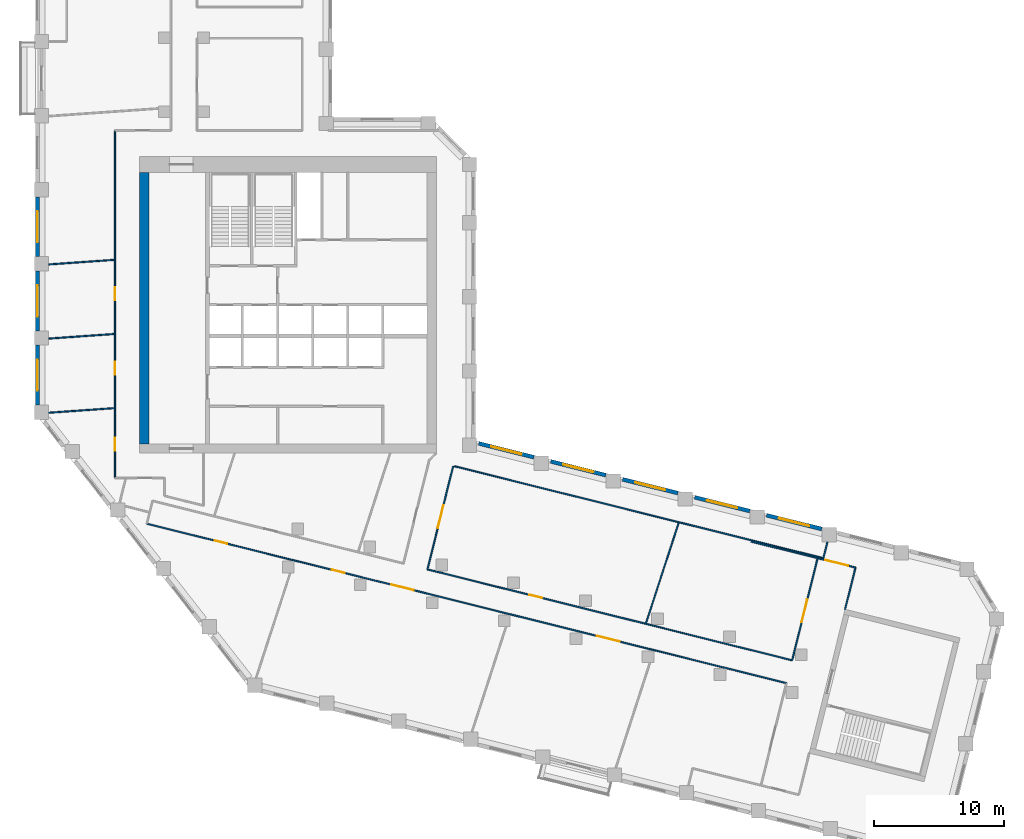
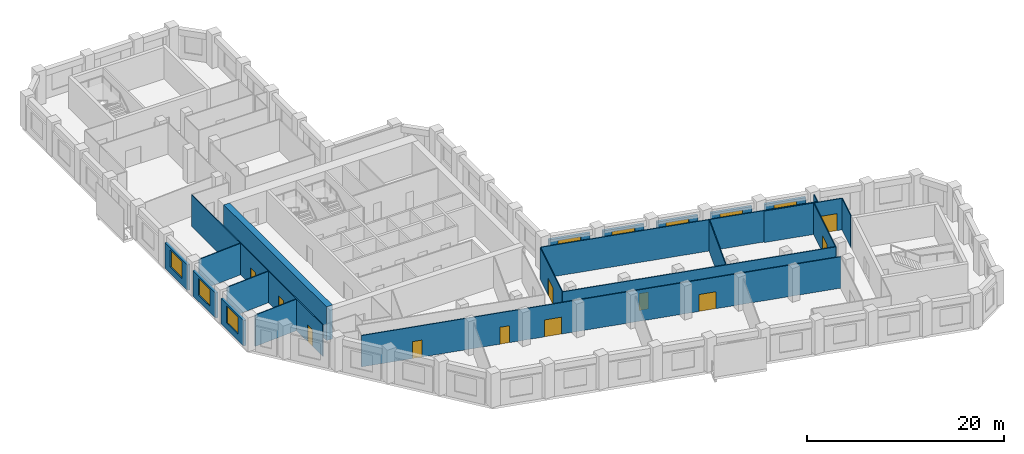
# One storey, part 4 of 10: 23 walls, 11 doors, 8 windows, 19 openings.
"""IFC4 building model written with IfcOpenShell, lengths in metres."""

from ifc_helpers import new_model, si_unit, direction, frame, frame_2d, origin, place, context, subcontext, project, spatial, rectangle, extrude, material, layer, layer_set, type_object, element, fill, save


model = new_model("IFC4")

# Units and contexts
model_context = context("Model", 3, precision=1e-05, world=origin(), true_north=direction((0.0, 1.0)))
body_context = subcontext(model_context, "Body", "Model", "MODEL_VIEW")
ifc_project = project(units=[si_unit("LENGTHUNIT", "METRE"), si_unit("AREAUNIT", "SQUARE_METRE"), si_unit("VOLUMEUNIT", "CUBIC_METRE"), si_unit("PLANEANGLEUNIT", "RADIAN"), si_unit("MASSUNIT", "GRAM", prefix="KILO")], contexts=[model_context])

# Site, building, storey
site_placement = place(None, origin())
site = spatial("IfcSite", under=ifc_project, at=site_placement, CompositionType="ELEMENT")
building_placement = place(site_placement, origin())
building = spatial("IfcBuilding", under=site, at=building_placement, Name="Meshkara Civic Tower", CompositionType="ELEMENT")
storey_placement = place(building_placement, frame((0.0, 0.0, 246.60009765625)))
storey = spatial("IfcBuildingStorey", under=building, at=storey_placement, Name="L56", CompositionType="ELEMENT", Elevation=246.60009765625)

# Wall
ifc_material_1 = material(Name="Concrete C60", Category="concrete")
ifc_layer_1 = layer(ifc_material_1, 0.699951171875)
ifc_layer_set_1 = layer_set([ifc_layer_1], Name="Core ring wall 700 C60")
wall_type_1 = type_object("IfcWallType", Name="Core ring wall 700 C60", PredefinedType="SHEAR", material=ifc_layer_set_1)
wall_1_placement = place(storey_placement, frame((8.35009765625, 14.800048828125, -0.300048828125), z_axis=(0.0, 0.0, 1.0), x_axis=(0.0, 1.0, 0.0)))
element("IfcWall", 1, at=wall_1_placement, inside=storey, type_object=wall_type_1, Name="L56-C003", PredefinedType="SHEAR", context=body_context, shape_type="SweptSolid", body=[
    extrude(rectangle(XDim=20.89990234375, YDim=0.699951171875, at=frame_2d((10.449951171875, 0.0))), origin(), (0.0, 0.0, 1.0), 4.199951171875),
])

# Wall, openings, doors
ifc_material_2 = material(Name="Corridor wall 100")
ifc_layer_2 = layer(ifc_material_2, 0.10009765625)
ifc_layer_set_2 = layer_set([ifc_layer_2], Name="Corridor wall 100")
wall_type_2 = type_object("IfcWallType", Name="Corridor wall 100", PredefinedType="PARTITIONING", material=ifc_layer_set_2)
wall_2_placement = place(storey_placement, frame((6.10009765625, 12.199951171875, 0.0), z_axis=(0.0, 0.0, 1.0), x_axis=(0.0, 1.0, 0.0)))
wall_2 = element("IfcWall", 2, at=wall_2_placement, inside=storey, type_object=wall_type_2, Name="L56-W004", PredefinedType="PARTITIONING", context=body_context, shape_type="SweptSolid", body=[
    extrude(rectangle(XDim=26.699951171875, YDim=0.10009765625, at=frame_2d((13.35009765625, 0.0))), origin(), (0.0, 0.0, 1.0), 3.89990234375),
])
opening_1_placement = place(wall_2_placement, frame((2.080078125, 0.0, 0.0)))
opening_1 = element("IfcOpeningElement", 3, at=opening_1_placement, cuts=wall_2, Name="Opening L56-D013", PredefinedType="OPENING", context=body_context, shape_type="SweptSolid", body=[
    extrude(rectangle(XDim=1.0, YDim=2.10009765625, at=frame_2d((0.5, 1.050048828125))), frame((0.0, 0.06005859375, 0.0), z_axis=(0.0, -1.0, 0.0), x_axis=(1.0, 0.0, 0.0)), (0.0, 0.0, 1.0), 0.1201171875),
])
opening_2_placement = place(wall_2_placement, frame((7.946044921875, 0.0, 0.0)))
opening_2 = element("IfcOpeningElement", 4, at=opening_2_placement, cuts=wall_2, Name="Opening L56-D015", PredefinedType="OPENING", context=body_context, shape_type="SweptSolid", body=[
    extrude(rectangle(XDim=1.0, YDim=2.10009765625, at=frame_2d((0.5, 1.050048828125))), frame((0.0, 0.06005859375, 0.0), z_axis=(0.0, -1.0, 0.0), x_axis=(1.0, 0.0, 0.0)), (0.0, 0.0, 1.0), 0.1201171875),
])
opening_3_placement = place(wall_2_placement, frame((13.64599609375, 0.0, 0.0)))
opening_3 = element("IfcOpeningElement", 5, at=opening_3_placement, cuts=wall_2, Name="Opening L56-D016", PredefinedType="OPENING", context=body_context, shape_type="SweptSolid", body=[
    extrude(rectangle(XDim=1.0, YDim=2.10009765625, at=frame_2d((0.5, 1.050048828125))), frame((0.0, 0.06005859375, 0.0), z_axis=(0.0, -1.0, 0.0), x_axis=(1.0, 0.0, 0.0)), (0.0, 0.0, 1.0), 0.1201171875),
])
ifc_material_3 = material(Name="Door 1000 x 2100")
door_type_1 = type_object("IfcDoorType", Name="Door 1000 x 2100", OperationType="SINGLE_SWING_LEFT", PredefinedType="DOOR", material=ifc_material_3)
door_1_placement = place(opening_1_placement, origin())
door_1 = element("IfcDoor", 6, at=door_1_placement, inside=storey, type_object=door_type_1, Name="L56-D013", OperationType="SINGLE_SWING_LEFT", OverallHeight=2.10009765625, OverallWidth=1.0, PredefinedType="DOOR", context=body_context, shape_type="SweptSolid", body=[
    extrude(rectangle(XDim=1.0, YDim=2.10009765625, at=frame_2d((0.5, 1.050048828125))), frame((0.0, 0.02490234375, 0.0), z_axis=(0.0, -1.0, 0.0), x_axis=(1.0, 0.0, 0.0)), (0.0, 0.0, 1.0), 0.050048828125),
])
fill(opening_1, door_1)
door_2_placement = place(opening_2_placement, origin())
door_2 = element("IfcDoor", 7, at=door_2_placement, inside=storey, type_object=door_type_1, Name="L56-D015", OperationType="SINGLE_SWING_RIGHT", OverallHeight=2.10009765625, OverallWidth=1.0, PredefinedType="DOOR", context=body_context, shape_type="SweptSolid", body=[
    extrude(rectangle(XDim=1.0, YDim=2.10009765625, at=frame_2d((0.5, 1.050048828125))), frame((0.0, 0.02490234375, 0.0), z_axis=(0.0, -1.0, 0.0), x_axis=(1.0, 0.0, 0.0)), (0.0, 0.0, 1.0), 0.050048828125),
])
fill(opening_2, door_2)
door_3_placement = place(opening_3_placement, origin())
door_3 = element("IfcDoor", 8, at=door_3_placement, inside=storey, type_object=door_type_1, Name="L56-D016", OperationType="SINGLE_SWING_RIGHT", OverallHeight=2.10009765625, OverallWidth=1.0, PredefinedType="DOOR", context=body_context, shape_type="SweptSolid", body=[
    extrude(rectangle(XDim=1.0, YDim=2.10009765625, at=frame_2d((0.5, 1.050048828125))), frame((0.0, 0.02490234375, 0.0), z_axis=(0.0, -1.0, 0.0), x_axis=(1.0, 0.0, 0.0)), (0.0, 0.0, 1.0), 0.050048828125),
])
fill(opening_3, door_3)

wall_3_placement = place(storey_placement, frame((8.550048828125, 8.68505859375, 0.0), z_axis=(0.0, 0.0, 1.0), x_axis=(0.970297603286, -0.241914367199, 0.0)))
wall_3 = element("IfcWall", 9, at=wall_3_placement, inside=storey, type_object=wall_type_2, Name="L56-W006", PredefinedType="PARTITIONING", context=body_context, shape_type="SweptSolid", body=[
    extrude(rectangle(XDim=50.675048828125, YDim=0.10009765625, at=frame_2d((25.33740234375, 0.0))), origin(), (0.0, 0.0, 1.0), 3.89990234375),
])
opening_4_placement = place(wall_3_placement, frame((35.656982421875, 0.0, 0.0)))
opening_4 = element("IfcOpeningElement", 10, at=opening_4_placement, cuts=wall_3, Name="Opening L56-D003", PredefinedType="OPENING", context=body_context, shape_type="SweptSolid", body=[
    extrude(rectangle(XDim=1.800048828125, YDim=2.10009765625, at=frame_2d((0.89990234375, 1.050048828125))), frame((0.0, 0.06005859375, 0.0), z_axis=(0.0, -1.0, 0.0), x_axis=(1.0, 0.0, 0.0)), (0.0, 0.0, 1.0), 0.1201171875),
])
opening_5_placement = place(wall_3_placement, frame((14.656982421875, 0.0, 0.0)))
opening_5 = element("IfcOpeningElement", 11, at=opening_5_placement, cuts=wall_3, Name="Opening L56-D004", PredefinedType="OPENING", context=body_context, shape_type="SweptSolid", body=[
    extrude(rectangle(XDim=1.0, YDim=2.10009765625, at=frame_2d((0.5, 1.050048828125))), frame((0.0, 0.06005859375, 0.0), z_axis=(0.0, -1.0, 0.0), x_axis=(1.0, 0.0, 0.0)), (0.0, 0.0, 1.0), 0.1201171875),
])
opening_6_placement = place(wall_3_placement, frame((19.35693359375, 0.0, 0.0)))
opening_6 = element("IfcOpeningElement", 12, at=opening_6_placement, cuts=wall_3, Name="Opening L56-D005", PredefinedType="OPENING", context=body_context, shape_type="SweptSolid", body=[
    extrude(rectangle(XDim=1.800048828125, YDim=2.10009765625, at=frame_2d((0.89990234375, 1.050048828125))), frame((0.0, 0.06005859375, 0.0), z_axis=(0.0, -1.0, 0.0), x_axis=(1.0, 0.0, 0.0)), (0.0, 0.0, 1.0), 0.1201171875),
])
opening_7_placement = place(wall_3_placement, frame((5.3798828125, 0.0, 0.0)))
opening_7 = element("IfcOpeningElement", 13, at=opening_7_placement, cuts=wall_3, Name="Opening L56-D009", PredefinedType="OPENING", context=body_context, shape_type="SweptSolid", body=[
    extrude(rectangle(XDim=1.0, YDim=2.10009765625, at=frame_2d((0.5, 1.050048828125))), frame((0.0, 0.06005859375, 0.0), z_axis=(0.0, -1.0, 0.0), x_axis=(1.0, 0.0, 0.0)), (0.0, 0.0, 1.0), 0.1201171875),
])
door_4_placement = place(opening_5_placement, origin())
door_4 = element("IfcDoor", 14, at=door_4_placement, inside=storey, type_object=door_type_1, Name="L56-D004", OperationType="SINGLE_SWING_RIGHT", OverallHeight=2.10009765625, OverallWidth=1.0, PredefinedType="DOOR", context=body_context, shape_type="SweptSolid", body=[
    extrude(rectangle(XDim=1.0, YDim=2.10009765625, at=frame_2d((0.5, 1.050048828125))), frame((0.0, 0.02490234375, 0.0), z_axis=(0.0, -1.0, 0.0), x_axis=(1.0, 0.0, 0.0)), (0.0, 0.0, 1.0), 0.050048828125),
])
fill(opening_5, door_4)
door_5_placement = place(opening_7_placement, origin())
door_5 = element("IfcDoor", 15, at=door_5_placement, inside=storey, type_object=door_type_1, Name="L56-D009", OperationType="SINGLE_SWING_LEFT", OverallHeight=2.10009765625, OverallWidth=1.0, PredefinedType="DOOR", context=body_context, shape_type="SweptSolid", body=[
    extrude(rectangle(XDim=1.0, YDim=2.10009765625, at=frame_2d((0.5, 1.050048828125))), frame((0.0, 0.02490234375, 0.0), z_axis=(0.0, -1.0, 0.0), x_axis=(1.0, 0.0, 0.0)), (0.0, 0.0, 1.0), 0.050048828125),
])
fill(opening_7, door_5)
ifc_material_4 = material(Name="Door pair 1800 x 2100")
door_type_2 = type_object("IfcDoorType", Name="Door pair 1800 x 2100", OperationType="SINGLE_SWING_LEFT", PredefinedType="DOOR", material=ifc_material_4)
door_6_placement = place(opening_4_placement, origin())
door_6 = element("IfcDoor", 16, at=door_6_placement, inside=storey, type_object=door_type_2, Name="L56-D003", OperationType="DOUBLE_DOOR_SINGLE_SWING", OverallHeight=2.10009765625, OverallWidth=1.800048828125, PredefinedType="DOOR", context=body_context, shape_type="SweptSolid", body=[
    extrude(rectangle(XDim=1.800048828125, YDim=2.10009765625, at=frame_2d((0.89990234375, 1.050048828125))), frame((0.0, 0.02490234375, 0.0), z_axis=(0.0, -1.0, 0.0), x_axis=(1.0, 0.0, 0.0)), (0.0, 0.0, 1.0), 0.050048828125),
])
fill(opening_4, door_6)
door_7_placement = place(opening_6_placement, origin())
door_7 = element("IfcDoor", 17, at=door_7_placement, inside=storey, type_object=door_type_2, Name="L56-D005", OperationType="DOUBLE_DOOR_SINGLE_SWING", OverallHeight=2.10009765625, OverallWidth=1.800048828125, PredefinedType="DOOR", context=body_context, shape_type="SweptSolid", body=[
    extrude(rectangle(XDim=1.800048828125, YDim=2.10009765625, at=frame_2d((0.89990234375, 1.050048828125))), frame((0.0, 0.02490234375, 0.0), z_axis=(0.0, -1.0, 0.0), x_axis=(1.0, 0.0, 0.0)), (0.0, 0.0, 1.0), 0.050048828125),
])
fill(opening_6, door_7)

# Wall, opening, door
wall_4_placement = place(storey_placement, frame((30.1201171875, 5.1708984375, 0.0), z_axis=(0.0, 0.0, 1.0), x_axis=(0.970298856921, -0.241909338922, 0.0)))
wall_4 = element("IfcWall", 18, at=wall_4_placement, inside=storey, type_object=wall_type_2, Name="L56-W025", PredefinedType="PARTITIONING", context=body_context, shape_type="SweptSolid", body=[
    extrude(rectangle(XDim=28.89501953125, YDim=0.10009765625, at=frame_2d((14.447509765625, 0.0))), origin(), (0.0, 0.0, 1.0), 3.89990234375),
])
opening_8_placement = place(wall_4_placement, frame((8.080078125, 0.0, 0.0)))
opening_8 = element("IfcOpeningElement", 19, at=opening_8_placement, cuts=wall_4, Name="Opening L56-D006", PredefinedType="OPENING", context=body_context, shape_type="SweptSolid", body=[
    extrude(rectangle(XDim=1.0, YDim=2.10009765625, at=frame_2d((0.5, 1.050048828125))), frame((0.0, 0.06005859375, 0.0), z_axis=(0.0, -1.0, 0.0), x_axis=(1.0, 0.0, 0.0)), (0.0, 0.0, 1.0), 0.1201171875),
])
door_8_placement = place(opening_8_placement, origin())
door_8 = element("IfcDoor", 20, at=door_8_placement, inside=storey, type_object=door_type_1, Name="L56-D006", OperationType="SINGLE_SWING_LEFT", OverallHeight=2.10009765625, OverallWidth=1.0, PredefinedType="DOOR", context=body_context, shape_type="SweptSolid", body=[
    extrude(rectangle(XDim=1.0, YDim=2.10009765625, at=frame_2d((0.5, 1.050048828125))), frame((0.0, 0.02490234375, 0.0), z_axis=(0.0, -1.0, 0.0), x_axis=(1.0, 0.0, 0.0)), (0.0, 0.0, 1.0), 0.050048828125),
])
fill(opening_8, door_8)

wall_5_placement = place(storey_placement, frame((30.1201171875, 5.1708984375, 0.0), z_axis=(0.0, 0.0, 1.0), x_axis=(0.241902913229, 0.970300458915, 0.0)))
wall_5 = element("IfcWall", 21, at=wall_5_placement, inside=storey, type_object=wall_type_2, Name="L56-W026", PredefinedType="PARTITIONING", context=body_context, shape_type="SweptSolid", body=[
    extrude(rectangle(XDim=8.171875, YDim=0.10009765625, at=frame_2d((4.0859375, 0.0))), origin(), (0.0, 0.0, 1.0), 3.89990234375),
])
opening_9_placement = place(wall_5_placement, frame((3.280029296875, 0.0, 0.0)))
opening_9 = element("IfcOpeningElement", 22, at=opening_9_placement, cuts=wall_5, Name="Opening L56-D012", PredefinedType="OPENING", context=body_context, shape_type="SweptSolid", body=[
    extrude(rectangle(XDim=1.800048828125, YDim=2.10009765625, at=frame_2d((0.89990234375, 1.050048828125))), frame((0.0, 0.06005859375, 0.0), z_axis=(0.0, -1.0, 0.0), x_axis=(1.0, 0.0, 0.0)), (0.0, 0.0, 1.0), 0.1201171875),
])
door_9_placement = place(opening_9_placement, origin())
door_9 = element("IfcDoor", 23, at=door_9_placement, inside=storey, type_object=door_type_2, Name="L56-D012", OperationType="DOUBLE_DOOR_SINGLE_SWING", OverallHeight=2.10009765625, OverallWidth=1.800048828125, PredefinedType="DOOR", context=body_context, shape_type="SweptSolid", body=[
    extrude(rectangle(XDim=1.800048828125, YDim=2.10009765625, at=frame_2d((0.89990234375, 1.050048828125))), frame((0.0, 0.02490234375, 0.0), z_axis=(0.0, -1.0, 0.0), x_axis=(1.0, 0.0, 0.0)), (0.0, 0.0, 1.0), 0.050048828125),
])
fill(opening_9, door_9)

# Wall
wall_6_placement = place(storey_placement, frame((32.196044921875, 13.10009765625, 0.0), z_axis=(0.0, 0.0, 1.0), x_axis=(0.970294627208, -0.241926303678, 0.0)))
element("IfcWall", 24, at=wall_6_placement, inside=storey, type_object=wall_type_2, Name="L56-W030", PredefinedType="PARTITIONING", context=body_context, shape_type="SweptSolid", body=[
    extrude(rectangle(XDim=29.22802734375, YDim=0.10009765625, at=frame_2d((14.614013671875, 0.0))), origin(), (0.0, 0.0, 1.0), 3.89990234375),
])

# Wall, opening, door
wall_7_placement = place(storey_placement, frame((60.115966796875, 6.035888671875, 0.0), z_axis=(0.0, 0.0, 1.0), x_axis=(-0.241982110561, -0.970280711015, 0.0)))
wall_7 = element("IfcWall", 25, at=wall_7_placement, inside=storey, type_object=wall_type_2, Name="L56-W034", PredefinedType="PARTITIONING", context=body_context, shape_type="SweptSolid", body=[
    extrude(rectangle(XDim=8.095458984375, YDim=0.10009765625, at=frame_2d((4.0478515625, 0.0))), origin(), (0.0, 0.0, 1.0), 3.89990234375),
])
opening_10_placement = place(wall_7_placement, frame((3.280029296875, 0.0, 0.0)))
opening_10 = element("IfcOpeningElement", 26, at=opening_10_placement, cuts=wall_7, Name="Opening L56-D007", PredefinedType="OPENING", context=body_context, shape_type="SweptSolid", body=[
    extrude(rectangle(XDim=1.800048828125, YDim=2.10009765625, at=frame_2d((0.89990234375, 1.050048828125))), frame((0.0, 0.06005859375, 0.0), z_axis=(0.0, -1.0, 0.0), x_axis=(1.0, 0.0, 0.0)), (0.0, 0.0, 1.0), 0.1201171875),
])
door_10_placement = place(opening_10_placement, origin())
door_10 = element("IfcDoor", 27, at=door_10_placement, inside=storey, type_object=door_type_2, Name="L56-D007", OperationType="DOUBLE_DOOR_SINGLE_SWING", OverallHeight=2.10009765625, OverallWidth=1.800048828125, PredefinedType="DOOR", context=body_context, shape_type="SweptSolid", body=[
    extrude(rectangle(XDim=1.800048828125, YDim=2.10009765625, at=frame_2d((0.89990234375, 1.050048828125))), frame((0.0, 0.02490234375, 0.0), z_axis=(0.0, -1.0, 0.0), x_axis=(1.0, 0.0, 0.0)), (0.0, 0.0, 1.0), 0.050048828125),
])
fill(opening_10, door_10)

# Walls
wall_8_placement = place(storey_placement, frame((60.555908203125, 6.029052734375, 0.0), z_axis=(0.0, 0.0, 1.0), x_axis=(0.24168476558, 0.970354818655, 0.0)))
element("IfcWall", 28, at=wall_8_placement, inside=storey, type_object=wall_type_2, Name="L56-W035", PredefinedType="PARTITIONING", context=body_context, shape_type="SweptSolid", body=[
    extrude(rectangle(XDim=1.282958984375, YDim=0.10009765625, at=frame_2d((0.6416015625, 0.0))), origin(), (0.0, 0.0, 1.0), 3.89990234375),
])
wall_9_placement = place(storey_placement, frame((62.22900390625, 2.10791015625, 0.0), z_axis=(0.0, 0.0, 1.0), x_axis=(0.241839284064, 0.97031631991, 0.0)))
element("IfcWall", 29, at=wall_9_placement, inside=storey, type_object=wall_type_2, Name="L56-W036", PredefinedType="PARTITIONING", context=body_context, shape_type="SweptSolid", body=[
    extrude(rectangle(XDim=3.300048828125, YDim=0.10009765625, at=frame_2d((1.64990234375, 0.0))), origin(), (0.0, 0.0, 1.0), 3.89990234375),
])

# Wall, opening, door
wall_10_placement = place(storey_placement, frame((63.027099609375, 5.31005859375, 0.0), z_axis=(0.0, 0.0, 1.0), x_axis=(-0.970295479982, 0.241922883427, 0.0)))
wall_10 = element("IfcWall", 30, at=wall_10_placement, inside=storey, type_object=wall_type_2, Name="L56-W037", PredefinedType="PARTITIONING", context=body_context, shape_type="SweptSolid", body=[
    extrude(rectangle(XDim=3.000244140625, YDim=0.10009765625, at=frame_2d((1.5, 0.0))), origin(), (0.0, 0.0, 1.0), 3.89990234375),
])
opening_11_placement = place(wall_10_placement, frame((0.580078125, 0.0, 0.0)))
opening_11 = element("IfcOpeningElement", 31, at=opening_11_placement, cuts=wall_10, Name="Opening L56-D008", PredefinedType="OPENING", context=body_context, shape_type="SweptSolid", body=[
    extrude(rectangle(XDim=1.800048828125, YDim=2.10009765625, at=frame_2d((0.89990234375, 1.050048828125))), frame((0.0, 0.06005859375, 0.0), z_axis=(0.0, -1.0, 0.0), x_axis=(1.0, 0.0, 0.0)), (0.0, 0.0, 1.0), 0.1201171875),
])
door_11_placement = place(opening_11_placement, origin())
door_11 = element("IfcDoor", 32, at=door_11_placement, inside=storey, type_object=door_type_2, Name="L56-D008", OperationType="DOUBLE_DOOR_SINGLE_SWING", OverallHeight=2.10009765625, OverallWidth=1.800048828125, PredefinedType="DOOR", context=body_context, shape_type="SweptSolid", body=[
    extrude(rectangle(XDim=1.800048828125, YDim=2.10009765625, at=frame_2d((0.89990234375, 1.050048828125))), frame((0.0, 0.02490234375, 0.0), z_axis=(0.0, -1.0, 0.0), x_axis=(1.0, 0.0, 0.0)), (0.0, 0.0, 1.0), 0.050048828125),
])
fill(opening_11, door_11)

# Wall, opening, window
ifc_material_5 = material(Name="Insulated infill panel with bronze anodised aluminium cladding", Category="aluminium")
ifc_layer_3 = layer(ifc_material_5, 0.300048828125)
ifc_layer_set_3 = layer_set([ifc_layer_3], Name="EXTERNAL INFILL WALL 300")
wall_type_3 = type_object("IfcWallType", Name="EXTERNAL INFILL WALL 300", PredefinedType="SOLIDWALL", material=ifc_layer_set_3)
wall_11_placement = place(storey_placement, frame((60.428955078125, 8.277099609375, 0.0), z_axis=(0.0, 0.0, 1.0), x_axis=(-0.97030676369, 0.241877622649, 0.0)))
wall_11 = element("IfcWall", 33, at=wall_11_placement, inside=storey, type_object=wall_type_3, Name="External wall", PredefinedType="SOLIDWALL", context=body_context, shape_type="SweptSolid", body=[
    extrude(rectangle(XDim=4.365478515625, YDim=0.300048828125, at=frame_2d((2.1826171875, 0.0))), origin(), (0.0, 0.0, 1.0), 3.14990234375),
])
opening_12_placement = place(wall_11_placement, frame((0.98291015625, 0.0, 0.800048828125)))
opening_12 = element("IfcOpeningElement", 34, at=opening_12_placement, cuts=wall_11, Name="Opening W7", PredefinedType="OPENING", context=body_context, shape_type="SweptSolid", body=[
    extrude(rectangle(XDim=2.39990234375, YDim=2.10009765625, at=frame_2d((1.199951171875, 1.050048828125))), frame((0.0, 0.159912109375, 0.0), z_axis=(0.0, -1.0, 0.0), x_axis=(1.0, 0.0, 0.0)), (0.0, 0.0, 1.0), 0.320068359375),
])
ifc_material_6 = material(Name="Tinted double glazing", Category="glass")
window_type = type_object("IfcWindowType", Name="WINDOW 2400x2100", PartitioningType="DOUBLE_PANEL_VERTICAL", PredefinedType="WINDOW", material=ifc_material_6)
window_1_placement = place(opening_12_placement, origin())
window_1 = element("IfcWindow", 35, at=window_1_placement, inside=storey, type_object=window_type, Name="Window", OverallHeight=2.10009765625, OverallWidth=2.39990234375, PartitioningType="DOUBLE_PANEL_VERTICAL", PredefinedType="WINDOW", context=body_context, shape_type="SweptSolid", body=[
    extrude(rectangle(XDim=2.39990234375, YDim=2.10009765625, at=frame_2d((1.199951171875, 1.050048828125))), frame((0.0, 0.030029296875, 0.0), z_axis=(0.0, -1.0, 0.0), x_axis=(1.0, 0.0, 0.0)), (0.0, 0.0, 1.0), 0.06005859375),
])
fill(opening_12, window_1)

wall_12_placement = place(storey_placement, frame((54.89892578125, 9.656005859375, 0.0), z_axis=(0.0, 0.0, 1.0), x_axis=(-0.970319847058, 0.241825131873, 0.0)))
wall_12 = element("IfcWall", 36, at=wall_12_placement, inside=storey, type_object=wall_type_3, Name="External wall", PredefinedType="SOLIDWALL", context=body_context, shape_type="SweptSolid", body=[
    extrude(rectangle(XDim=4.366455078125, YDim=0.300048828125, at=frame_2d((2.18310546875, 0.0))), origin(), (0.0, 0.0, 1.0), 3.14990234375),
])
opening_13_placement = place(wall_12_placement, frame((0.98291015625, 0.0, 0.800048828125)))
opening_13 = element("IfcOpeningElement", 37, at=opening_13_placement, cuts=wall_12, Name="Opening W7", PredefinedType="OPENING", context=body_context, shape_type="SweptSolid", body=[
    extrude(rectangle(XDim=2.39990234375, YDim=2.10009765625, at=frame_2d((1.199951171875, 1.050048828125))), frame((0.0, 0.159912109375, 0.0), z_axis=(0.0, -1.0, 0.0), x_axis=(1.0, 0.0, 0.0)), (0.0, 0.0, 1.0), 0.320068359375),
])
window_2_placement = place(opening_13_placement, origin())
window_2 = element("IfcWindow", 38, at=window_2_placement, inside=storey, type_object=window_type, Name="Window", OverallHeight=2.10009765625, OverallWidth=2.39990234375, PartitioningType="DOUBLE_PANEL_VERTICAL", PredefinedType="WINDOW", context=body_context, shape_type="SweptSolid", body=[
    extrude(rectangle(XDim=2.39990234375, YDim=2.10009765625, at=frame_2d((1.199951171875, 1.050048828125))), frame((0.0, 0.030029296875, 0.0), z_axis=(0.0, -1.0, 0.0), x_axis=(1.0, 0.0, 0.0)), (0.0, 0.0, 1.0), 0.06005859375),
])
fill(opening_13, window_2)

wall_13_placement = place(storey_placement, frame((49.367919921875, 11.034912109375, 0.0), z_axis=(0.0, 0.0, 1.0), x_axis=(-0.970306725873, 0.241877774353, 0.0)))
wall_13 = element("IfcWall", 39, at=wall_13_placement, inside=storey, type_object=wall_type_3, Name="External wall", PredefinedType="SOLIDWALL", context=body_context, shape_type="SweptSolid", body=[
    extrude(rectangle(XDim=4.366455078125, YDim=0.300048828125, at=frame_2d((2.18310546875, 0.0))), origin(), (0.0, 0.0, 1.0), 3.14990234375),
])
opening_14_placement = place(wall_13_placement, frame((0.98291015625, 0.0, 0.800048828125)))
opening_14 = element("IfcOpeningElement", 40, at=opening_14_placement, cuts=wall_13, Name="Opening W7", PredefinedType="OPENING", context=body_context, shape_type="SweptSolid", body=[
    extrude(rectangle(XDim=2.39990234375, YDim=2.10009765625, at=frame_2d((1.199951171875, 1.050048828125))), frame((0.0, 0.159912109375, 0.0), z_axis=(0.0, -1.0, 0.0), x_axis=(1.0, 0.0, 0.0)), (0.0, 0.0, 1.0), 0.320068359375),
])
window_3_placement = place(opening_14_placement, origin())
window_3 = element("IfcWindow", 41, at=window_3_placement, inside=storey, type_object=window_type, Name="Window", OverallHeight=2.10009765625, OverallWidth=2.39990234375, PartitioningType="DOUBLE_PANEL_VERTICAL", PredefinedType="WINDOW", context=body_context, shape_type="SweptSolid", body=[
    extrude(rectangle(XDim=2.39990234375, YDim=2.10009765625, at=frame_2d((1.199951171875, 1.050048828125))), frame((0.0, 0.030029296875, 0.0), z_axis=(0.0, -1.0, 0.0), x_axis=(1.0, 0.0, 0.0)), (0.0, 0.0, 1.0), 0.06005859375),
])
fill(opening_14, window_3)

wall_14_placement = place(storey_placement, frame((43.8369140625, 12.4140625, 0.0), z_axis=(0.0, 0.0, 1.0), x_axis=(-0.97030676369, 0.241877622649, 0.0)))
wall_14 = element("IfcWall", 42, at=wall_14_placement, inside=storey, type_object=wall_type_3, Name="External wall", PredefinedType="SOLIDWALL", context=body_context, shape_type="SweptSolid", body=[
    extrude(rectangle(XDim=4.365478515625, YDim=0.300048828125, at=frame_2d((2.1826171875, 0.0))), origin(), (0.0, 0.0, 1.0), 3.14990234375),
])
opening_15_placement = place(wall_14_placement, frame((0.98291015625, 0.0, 0.800048828125)))
opening_15 = element("IfcOpeningElement", 43, at=opening_15_placement, cuts=wall_14, Name="Opening W7", PredefinedType="OPENING", context=body_context, shape_type="SweptSolid", body=[
    extrude(rectangle(XDim=2.39990234375, YDim=2.10009765625, at=frame_2d((1.199951171875, 1.050048828125))), frame((0.0, 0.159912109375, 0.0), z_axis=(0.0, -1.0, 0.0), x_axis=(1.0, 0.0, 0.0)), (0.0, 0.0, 1.0), 0.320068359375),
])
window_4_placement = place(opening_15_placement, origin())
window_4 = element("IfcWindow", 44, at=window_4_placement, inside=storey, type_object=window_type, Name="Window", OverallHeight=2.10009765625, OverallWidth=2.39990234375, PartitioningType="DOUBLE_PANEL_VERTICAL", PredefinedType="WINDOW", context=body_context, shape_type="SweptSolid", body=[
    extrude(rectangle(XDim=2.39990234375, YDim=2.10009765625, at=frame_2d((1.199951171875, 1.050048828125))), frame((0.0, 0.030029296875, 0.0), z_axis=(0.0, -1.0, 0.0), x_axis=(1.0, 0.0, 0.0)), (0.0, 0.0, 1.0), 0.06005859375),
])
fill(opening_15, window_4)

wall_15_placement = place(storey_placement, frame((38.306884765625, 13.79296875, 0.0), z_axis=(0.0, 0.0, 1.0), x_axis=(-0.970306725873, 0.241877774353, 0.0)))
wall_15 = element("IfcWall", 45, at=wall_15_placement, inside=storey, type_object=wall_type_3, Name="External wall", PredefinedType="SOLIDWALL", context=body_context, shape_type="SweptSolid", body=[
    extrude(rectangle(XDim=4.366455078125, YDim=0.300048828125, at=frame_2d((2.18310546875, 0.0))), origin(), (0.0, 0.0, 1.0), 3.14990234375),
])
opening_16_placement = place(wall_15_placement, frame((0.98291015625, 0.0, 0.800048828125)))
opening_16 = element("IfcOpeningElement", 46, at=opening_16_placement, cuts=wall_15, Name="Opening W7", PredefinedType="OPENING", context=body_context, shape_type="SweptSolid", body=[
    extrude(rectangle(XDim=2.39990234375, YDim=2.10009765625, at=frame_2d((1.199951171875, 1.050048828125))), frame((0.0, 0.159912109375, 0.0), z_axis=(0.0, -1.0, 0.0), x_axis=(1.0, 0.0, 0.0)), (0.0, 0.0, 1.0), 0.320068359375),
])
window_5_placement = place(opening_16_placement, origin())
window_5 = element("IfcWindow", 47, at=window_5_placement, inside=storey, type_object=window_type, Name="Window", OverallHeight=2.10009765625, OverallWidth=2.39990234375, PartitioningType="DOUBLE_PANEL_VERTICAL", PredefinedType="WINDOW", context=body_context, shape_type="SweptSolid", body=[
    extrude(rectangle(XDim=2.39990234375, YDim=2.10009765625, at=frame_2d((1.199951171875, 1.050048828125))), frame((0.0, 0.030029296875, 0.0), z_axis=(0.0, -1.0, 0.0), x_axis=(1.0, 0.0, 0.0)), (0.0, 0.0, 1.0), 0.06005859375),
])
fill(opening_16, window_5)

wall_16_placement = place(storey_placement, frame((0.14990234375, 33.804931640625, 0.0), z_axis=(0.0, 0.0, 1.0), x_axis=(0.0, -1.0, 0.0)))
wall_16 = element("IfcWall", 48, at=wall_16_placement, inside=storey, type_object=wall_type_3, Name="External wall", PredefinedType="SOLIDWALL", context=body_context, shape_type="SweptSolid", body=[
    extrude(rectangle(XDim=4.599853515625, YDim=0.300048828125, at=frame_2d((2.2998046875, 0.0))), origin(), (0.0, 0.0, 1.0), 3.14990234375),
])
opening_17_placement = place(wall_16_placement, frame((1.10009765625, 0.0, 0.800048828125)))
opening_17 = element("IfcOpeningElement", 49, at=opening_17_placement, cuts=wall_16, Name="Opening W7", PredefinedType="OPENING", context=body_context, shape_type="SweptSolid", body=[
    extrude(rectangle(XDim=2.39990234375, YDim=2.10009765625, at=frame_2d((1.199951171875, 1.050048828125))), frame((0.0, 0.159912109375, 0.0), z_axis=(0.0, -1.0, 0.0), x_axis=(1.0, 0.0, 0.0)), (0.0, 0.0, 1.0), 0.320068359375),
])
window_6_placement = place(opening_17_placement, origin())
window_6 = element("IfcWindow", 50, at=window_6_placement, inside=storey, type_object=window_type, Name="Window", OverallHeight=2.10009765625, OverallWidth=2.39990234375, PartitioningType="DOUBLE_PANEL_VERTICAL", PredefinedType="WINDOW", context=body_context, shape_type="SweptSolid", body=[
    extrude(rectangle(XDim=2.39990234375, YDim=2.10009765625, at=frame_2d((1.199951171875, 1.050048828125))), frame((0.0, 0.030029296875, 0.0), z_axis=(0.0, -1.0, 0.0), x_axis=(1.0, 0.0, 0.0)), (0.0, 0.0, 1.0), 0.06005859375),
])
fill(opening_17, window_6)

wall_17_placement = place(storey_placement, frame((0.14990234375, 28.10498046875, 0.0), z_axis=(0.0, 0.0, 1.0), x_axis=(0.0, -1.0, 0.0)))
wall_17 = element("IfcWall", 51, at=wall_17_placement, inside=storey, type_object=wall_type_3, Name="External wall", PredefinedType="SOLIDWALL", context=body_context, shape_type="SweptSolid", body=[
    extrude(rectangle(XDim=4.60009765625, YDim=0.300048828125, at=frame_2d((2.300048828125, 0.0))), origin(), (0.0, 0.0, 1.0), 3.14990234375),
])
opening_18_placement = place(wall_17_placement, frame((1.10009765625, 0.0, 0.800048828125)))
opening_18 = element("IfcOpeningElement", 52, at=opening_18_placement, cuts=wall_17, Name="Opening W7", PredefinedType="OPENING", context=body_context, shape_type="SweptSolid", body=[
    extrude(rectangle(XDim=2.39990234375, YDim=2.10009765625, at=frame_2d((1.199951171875, 1.050048828125))), frame((0.0, 0.159912109375, 0.0), z_axis=(0.0, -1.0, 0.0), x_axis=(1.0, 0.0, 0.0)), (0.0, 0.0, 1.0), 0.320068359375),
])
window_7_placement = place(opening_18_placement, origin())
window_7 = element("IfcWindow", 53, at=window_7_placement, inside=storey, type_object=window_type, Name="Window", OverallHeight=2.10009765625, OverallWidth=2.39990234375, PartitioningType="DOUBLE_PANEL_VERTICAL", PredefinedType="WINDOW", context=body_context, shape_type="SweptSolid", body=[
    extrude(rectangle(XDim=2.39990234375, YDim=2.10009765625, at=frame_2d((1.199951171875, 1.050048828125))), frame((0.0, 0.030029296875, 0.0), z_axis=(0.0, -1.0, 0.0), x_axis=(1.0, 0.0, 0.0)), (0.0, 0.0, 1.0), 0.06005859375),
])
fill(opening_18, window_7)

wall_18_placement = place(storey_placement, frame((0.14990234375, 22.405029296875, 0.0), z_axis=(0.0, 0.0, 1.0), x_axis=(0.0, -1.0, 0.0)))
wall_18 = element("IfcWall", 54, at=wall_18_placement, inside=storey, type_object=wall_type_3, Name="External wall", PredefinedType="SOLIDWALL", context=body_context, shape_type="SweptSolid", body=[
    extrude(rectangle(XDim=4.60009765625, YDim=0.300048828125, at=frame_2d((2.300048828125, 0.0))), origin(), (0.0, 0.0, 1.0), 3.14990234375),
])
opening_19_placement = place(wall_18_placement, frame((1.10009765625, 0.0, 0.800048828125)))
opening_19 = element("IfcOpeningElement", 55, at=opening_19_placement, cuts=wall_18, Name="Opening W7", PredefinedType="OPENING", context=body_context, shape_type="SweptSolid", body=[
    extrude(rectangle(XDim=2.39990234375, YDim=2.10009765625, at=frame_2d((1.199951171875, 1.050048828125))), frame((0.0, 0.159912109375, 0.0), z_axis=(0.0, -1.0, 0.0), x_axis=(1.0, 0.0, 0.0)), (0.0, 0.0, 1.0), 0.320068359375),
])
window_8_placement = place(opening_19_placement, origin())
window_8 = element("IfcWindow", 56, at=window_8_placement, inside=storey, type_object=window_type, Name="Window", OverallHeight=2.10009765625, OverallWidth=2.39990234375, PartitioningType="DOUBLE_PANEL_VERTICAL", PredefinedType="WINDOW", context=body_context, shape_type="SweptSolid", body=[
    extrude(rectangle(XDim=2.39990234375, YDim=2.10009765625, at=frame_2d((1.199951171875, 1.050048828125))), frame((0.0, 0.030029296875, 0.0), z_axis=(0.0, -1.0, 0.0), x_axis=(1.0, 0.0, 0.0)), (0.0, 0.0, 1.0), 0.06005859375),
])
fill(opening_19, window_8)

# Walls
ifc_material_7 = material(Name="Partition 100")
ifc_layer_4 = layer(ifc_material_7, 0.10009765625)
ifc_layer_set_4 = layer_set([ifc_layer_4], Name="Partition 100")
wall_type_4 = type_object("IfcWallType", Name="Partition 100", PredefinedType="PARTITIONING", material=ifc_layer_set_4)
for number, where, z_axis, x_axis, name in (
    (57, (6.047119140625, 17.56591796875, 0.0), (0.0, 0.0, 1.0), (-0.9975626968, -0.06977582642, 0.0), "L56-W040"),
    (58, (6.047119140625, 23.26611328125, 0.0), (0.0, 0.0, 1.0), (-0.9975626968, -0.06977582642, 0.0), "L56-W041"),
    (59, (6.047119140625, 28.966064453125, 0.0), (0.0, 0.0, 1.0), (-0.9975626968, -0.06977582642, 0.0), "L56-W042"),
):
    element("IfcWall", number, at=place(storey_placement, frame(where, z_axis=z_axis, x_axis=x_axis)), inside=storey, type_object=wall_type_4, Name=name, PredefinedType="PARTITIONING", context=body_context, shape_type="SweptSolid", body=[
        extrude(rectangle(XDim=5.0595703125, YDim=0.10009765625, at=frame_2d((2.52978515625, 0.0))), origin(), (0.0, 0.0, 1.0), 3.89990234375),
    ])
wall_19_placement = place(storey_placement, frame((46.925048828125, 1.035888671875, 0.0), z_axis=(0.0, 0.0, 1.0), x_axis=(0.308911102003, 0.951090916295, 0.0)))
element("IfcWall", 60, at=wall_19_placement, inside=storey, type_object=wall_type_4, Name="L56-W052", PredefinedType="PARTITIONING", context=body_context, shape_type="SweptSolid", body=[
    extrude(rectangle(XDim=8.108642578125, YDim=0.10009765625, at=frame_2d((4.05419921875, 0.0))), origin(), (0.0, 0.0, 1.0), 3.89990234375),
])
wall_20_placement = place(storey_placement, frame((60.1201171875, 6.034912109375, 0.0), z_axis=(0.0, 0.0, 1.0), x_axis=(-0.970305605625, 0.241882268247, 0.0)))
element("IfcWall", 61, at=wall_20_placement, inside=storey, type_object=wall_type_4, Name="L56-W055", PredefinedType="PARTITIONING", context=body_context, shape_type="SweptSolid", body=[
    extrude(rectangle(XDim=5.27587890625, YDim=0.10009765625, at=frame_2d((2.637939453125, 0.0))), origin(), (0.0, 0.0, 1.0), 3.89990234375),
])

save(model, "model.ifc")
